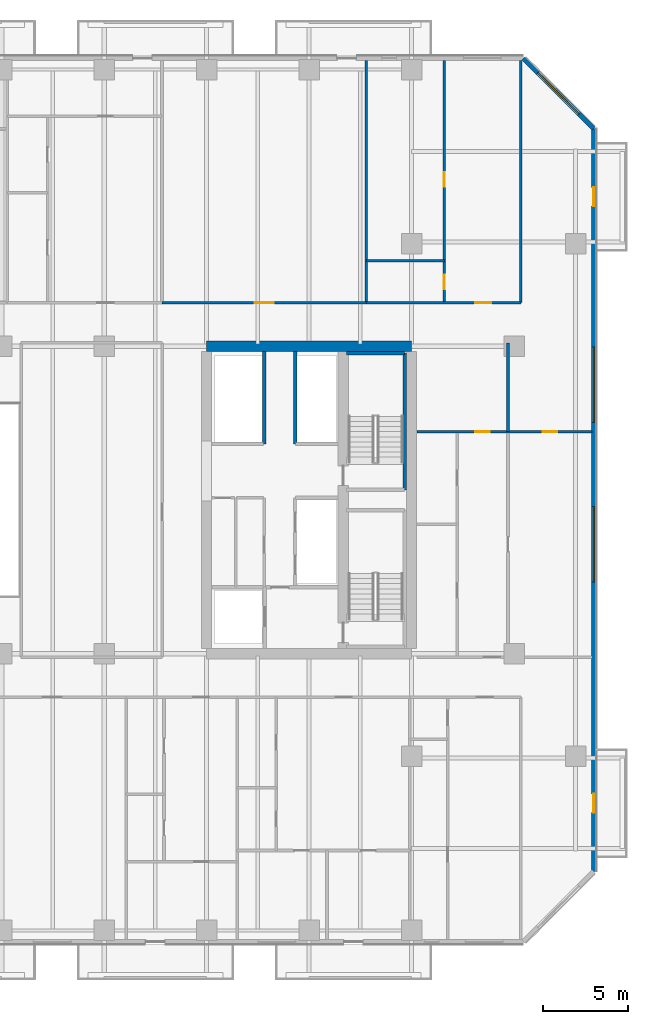
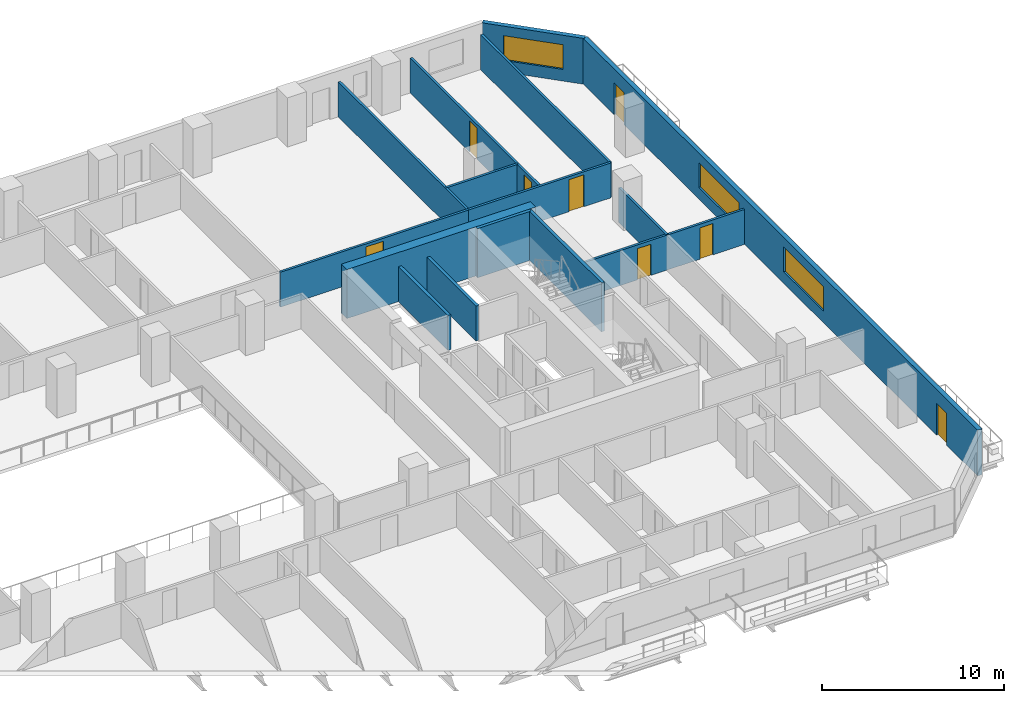
# One storey, part 16 of 26: 15 walls, 8 doors, 3 windows, 11 openings.
"""IFC4 building model written with IfcOpenShell, lengths in metres."""

from ifc_helpers import new_model, si_unit, direction, frame, frame_2d, origin, place, context, subcontext, project, spatial, rectangle, extrude, material, layer, layer_set, type_object, element, fill, save


model = new_model("IFC4")

# Units and contexts
model_context = context("Model", 3, precision=1e-05, world=origin(), true_north=direction((0.0, 1.0)))
body_context = subcontext(model_context, "Body", "Model", "MODEL_VIEW")
ifc_project = project(units=[si_unit("LENGTHUNIT", "METRE"), si_unit("AREAUNIT", "SQUARE_METRE"), si_unit("VOLUMEUNIT", "CUBIC_METRE"), si_unit("PLANEANGLEUNIT", "RADIAN"), si_unit("MASSUNIT", "GRAM", prefix="KILO")], contexts=[model_context])

# Site, building, storey
site_placement = place(None, origin())
site = spatial("IfcSite", under=ifc_project, at=site_placement, CompositionType="ELEMENT")
building_placement = place(site_placement, origin())
building = spatial("IfcBuilding", under=site, at=building_placement, Name="Tanjung Sevakor Pilgrim Tower", CompositionType="ELEMENT")
storey_placement = place(building_placement, frame((0.0, 0.0, 45.5400390625)))
storey = spatial("IfcBuildingStorey", under=building, at=storey_placement, Name="L12", CompositionType="ELEMENT", Elevation=45.5400390625)

# Walls
ifc_material_1 = material(Name="Concrete C60/75", Category="concrete")
ifc_layer_1 = layer(ifc_material_1, 0.60009765625)
ifc_layer_set_1 = layer_set([ifc_layer_1], Name="WALL-CW-600")
wall_type_1 = type_object("IfcWallType", Name="WALL-CW-600", PredefinedType="SHEAR", material=ifc_layer_set_1)
wall_1_placement = place(storey_placement, frame((90.0, 42.60009765625, 0.0), z_axis=(0.0, 0.0, 1.0), x_axis=(-1.0, 0.0, 0.0)))
element("IfcWall", 1, at=wall_1_placement, inside=storey, type_object=wall_type_1, Name="L12 E Core North Shear Wall", PredefinedType="SHEAR", context=body_context, shape_type="SweptSolid", body=[
    extrude(rectangle(XDim=12.0, YDim=0.60009765625, at=frame_2d((6.0, 0.0))), origin(), (0.0, 0.0, 1.0), 3.300048828125),
])
ifc_material_2 = material(Name="Concrete C40/50", Category="concrete")
ifc_layer_2 = layer(ifc_material_2, 0.14990234375)
ifc_layer_set_2 = layer_set([ifc_layer_2], Name="WT-COMP-150")
wall_type_2 = type_object("IfcWallType", Name="WT-COMP-150", PredefinedType="SOLIDWALL", material=ifc_layer_set_2)
for number, where, z_axis, x_axis, name in (
    (2, (96.39990234375, 45.14990234375, 0.0), (0.0, 0.0, 1.0), (0.0, 1.0, 0.0), "L12 Partition IW-L12-093"),
    (3, (87.35009765625, 45.14990234375, 0.0), (0.0, 0.0, 1.0), (0.0, 1.0, 0.0), "L12 Partition IW-L12-106"),
):
    element("IfcWall", number, at=place(storey_placement, frame(where, z_axis=z_axis, x_axis=x_axis)), inside=storey, type_object=wall_type_2, Name=name, PredefinedType="SOLIDWALL", context=body_context, shape_type="SweptSolid", body=[
        extrude(rectangle(XDim=14.170166015625, YDim=0.14990234375, at=frame_2d((7.0849609375, 0.0))), origin(), (0.0, 0.0, 1.0), 2.35009765625),
    ])

# Wall, opening, door
wall_2_placement = place(storey_placement, frame((75.39111328125, 45.14990234375, 0.0), z_axis=(0.0, 0.0, 1.0), x_axis=(1.0, 0.0, 0.0)))
wall_2 = element("IfcWall", 4, at=wall_2_placement, inside=storey, type_object=wall_type_2, Name="L12 Partition IW-L12-107", PredefinedType="SOLIDWALL", context=body_context, shape_type="SweptSolid", body=[
    extrude(rectangle(XDim=11.958984375, YDim=0.14990234375, at=frame_2d((5.9794921875, 0.0))), origin(), (0.0, 0.0, 1.0), 2.35009765625),
])
opening_1_placement = place(wall_2_placement, frame((5.429443359375, 0.0, 0.0)))
opening_1 = element("IfcOpeningElement", 5, at=opening_1_placement, cuts=wall_2, Name="Opening ID-FD0", PredefinedType="OPENING", context=body_context, shape_type="SweptSolid", body=[
    extrude(rectangle(XDim=1.10009765625, YDim=2.14990234375, at=frame_2d((0.550048828125, 1.074951171875))), frame((0.0, 0.0849609375, 0.0), z_axis=(0.0, -1.0, 0.0), x_axis=(1.0, 0.0, 0.0)), (0.0, 0.0, 1.0), 0.169921875),
])
ifc_material_3 = material(Name="Fire-Rated Steel S355J2", Category="steel")
door_type_1 = type_object("IfcDoorType", Name="DT-FIRE-1100", OperationType="NOTDEFINED", PredefinedType="DOOR", material=ifc_material_3)
door_1_placement = place(opening_1_placement, origin())
door_1 = element("IfcDoor", 6, at=door_1_placement, inside=storey, type_object=door_type_1, Name="Seminar Room Door", OperationType="SINGLE_SWING_LEFT", OverallHeight=2.14990234375, OverallWidth=1.10009765625, PredefinedType="DOOR", context=body_context, shape_type="SweptSolid", body=[
    extrude(rectangle(XDim=1.10009765625, YDim=2.14990234375, at=frame_2d((0.550048828125, 1.074951171875))), frame((0.0, 0.02490234375, 0.0), z_axis=(0.0, -1.0, 0.0), x_axis=(1.0, 0.0, 0.0)), (0.0, 0.0, 1.0), 0.050048828125),
])
fill(opening_1, door_1)

wall_3_placement = place(storey_placement, frame((87.35009765625, 45.14990234375, 0.0), z_axis=(0.0, 0.0, 1.0), x_axis=(1.0, 0.0, 0.0)))
wall_3 = element("IfcWall", 7, at=wall_3_placement, inside=storey, type_object=wall_type_2, Name="L12 Partition IW-L12-110", PredefinedType="SOLIDWALL", context=body_context, shape_type="SweptSolid", body=[
    extrude(rectangle(XDim=9.0498046875, YDim=0.14990234375, at=frame_2d((4.52490234375, 0.0))), origin(), (0.0, 0.0, 1.0), 2.35009765625),
])
opening_2_placement = place(wall_3_placement, frame((6.375, 0.0, 0.0)))
opening_2 = element("IfcOpeningElement", 8, at=opening_2_placement, cuts=wall_3, Name="Opening ID-FD2", PredefinedType="OPENING", context=body_context, shape_type="SweptSolid", body=[
    extrude(rectangle(XDim=0.949951171875, YDim=2.14990234375, at=frame_2d((0.47509765625, 1.074951171875))), frame((0.0, 0.0849609375, 0.0), z_axis=(0.0, -1.0, 0.0), x_axis=(1.0, 0.0, 0.0)), (0.0, 0.0, 1.0), 0.169921875),
])
ifc_material_4 = material(Name="Fire-Rated Timber", Category="wood")
door_type_2 = type_object("IfcDoorType", Name="DT-FIRE-950", OperationType="NOTDEFINED", PredefinedType="DOOR", material=ifc_material_4)
door_2_placement = place(opening_2_placement, origin())
door_2 = element("IfcDoor", 9, at=door_2_placement, inside=storey, type_object=door_type_2, Name="Hostel Quad Entrance", OperationType="SINGLE_SWING_RIGHT", OverallHeight=2.14990234375, OverallWidth=0.949951171875, PredefinedType="DOOR", context=body_context, shape_type="SweptSolid", body=[
    extrude(rectangle(XDim=0.949951171875, YDim=2.14990234375, at=frame_2d((0.47509765625, 1.074951171875))), frame((0.0, 0.02490234375, 0.0), z_axis=(0.0, -1.0, 0.0), x_axis=(1.0, 0.0, 0.0)), (0.0, 0.0, 1.0), 0.050048828125),
])
fill(opening_2, door_2)

# Wall, openings, doors, windows
ifc_material_5 = material(Name="Precast concrete C45/55", Category="concrete")
ifc_layer_3 = layer(ifc_material_5, 0.280029296875)
ifc_layer_set_3 = layer_set([ifc_layer_3], Name="WT-EW-STN2")
wall_type_3 = type_object("IfcWallType", Name="WT-EW-STN2", PredefinedType="SOLIDWALL", material=ifc_layer_set_3)
wall_4_placement = place(storey_placement, frame((100.659912109375, 11.85791015625, 0.0), z_axis=(0.0, 0.0, 1.0), x_axis=(0.0, 1.0, 0.0)))
wall_4 = element("IfcWall", 10, at=wall_4_placement, inside=storey, type_object=wall_type_3, Name="L12 MAIN Exterior Wall 7", PredefinedType="SOLIDWALL", context=body_context, shape_type="SweptSolid", body=[
    extrude(rectangle(XDim=43.484130859375, YDim=0.280029296875, at=frame_2d((21.7421875, 0.0))), origin(), (0.0, 0.0, 1.0), 3.080078125),
])
opening_3_placement = place(wall_4_placement, frame((3.44189453125, 0.0, 0.0)))
opening_3 = element("IfcOpeningElement", 11, at=opening_3_placement, cuts=wall_4, Name="Opening ED-BAL-1100", PredefinedType="OPENING", context=body_context, shape_type="SweptSolid", body=[
    extrude(rectangle(XDim=1.10009765625, YDim=2.14990234375, at=frame_2d((0.550048828125, 1.074951171875))), frame((0.0, 0.14990234375, 0.0), z_axis=(0.0, -1.0, 0.0), x_axis=(1.0, 0.0, 0.0)), (0.0, 0.0, 1.0), 0.300048828125),
])
opening_4_placement = place(wall_4_placement, frame((38.94189453125, 0.0, 0.0)))
opening_4 = element("IfcOpeningElement", 12, at=opening_4_placement, cuts=wall_4, Name="Opening ED-BAL-1100", PredefinedType="OPENING", context=body_context, shape_type="SweptSolid", body=[
    extrude(rectangle(XDim=1.10009765625, YDim=2.14990234375, at=frame_2d((0.550048828125, 1.074951171875))), frame((0.0, 0.14990234375, 0.0), z_axis=(0.0, -1.0, 0.0), x_axis=(1.0, 0.0, 0.0)), (0.0, 0.0, 1.0), 0.300048828125),
])
opening_5_placement = place(wall_4_placement, frame((16.951904296875, 0.0, 0.780029296875)))
opening_5 = element("IfcOpeningElement", 13, at=opening_5_placement, cuts=wall_4, Name="Opening WN-ENDW-1660", PredefinedType="OPENING", context=body_context, shape_type="SweptSolid", body=[
    extrude(rectangle(XDim=4.39990234375, YDim=1.659912109375, at=frame_2d((2.199951171875, 0.830078125))), frame((0.0, 0.14990234375, 0.0), z_axis=(0.0, -1.0, 0.0), x_axis=(1.0, 0.0, 0.0)), (0.0, 0.0, 1.0), 0.300048828125),
])
opening_6_placement = place(wall_4_placement, frame((26.2919921875, 0.0, 0.780029296875)))
opening_6 = element("IfcOpeningElement", 14, at=opening_6_placement, cuts=wall_4, Name="Opening WN-ENDW-1660", PredefinedType="OPENING", context=body_context, shape_type="SweptSolid", body=[
    extrude(rectangle(XDim=4.39990234375, YDim=1.659912109375, at=frame_2d((2.199951171875, 0.830078125))), frame((0.0, 0.14990234375, 0.0), z_axis=(0.0, -1.0, 0.0), x_axis=(1.0, 0.0, 0.0)), (0.0, 0.0, 1.0), 0.300048828125),
])
ifc_material_6 = material(Name="Anodised Aluminium and Laminated Glass", Category="aluminium")
door_type_3 = type_object("IfcDoorType", Name="DTYP-ED-BAL-1100", OperationType="NOTDEFINED", PredefinedType="DOOR", material=ifc_material_6)
door_3_placement = place(opening_3_placement, frame((1.10009765625, 0.0, 0.0), z_axis=(0.0, 0.0, 1.0), x_axis=(-1.0, 0.0, 0.0)))
door_3 = element("IfcDoor", 15, at=door_3_placement, inside=storey, type_object=door_type_3, Name="L12 East Loggia Door MAIN-E1", OperationType="SINGLE_SWING_RIGHT", OverallHeight=2.14990234375, OverallWidth=1.10009765625, PredefinedType="DOOR", context=body_context, shape_type="SweptSolid", body=[
    extrude(rectangle(XDim=1.10009765625, YDim=2.14990234375, at=frame_2d((0.550048828125, 1.074951171875))), frame((0.0, 0.02490234375, 0.0), z_axis=(0.0, -1.0, 0.0), x_axis=(1.0, 0.0, 0.0)), (0.0, 0.0, 1.0), 0.050048828125),
])
fill(opening_3, door_3)
door_4_placement = place(opening_4_placement, frame((1.10009765625, 0.0, 0.0), z_axis=(0.0, 0.0, 1.0), x_axis=(-1.0, 0.0, 0.0)))
door_4 = element("IfcDoor", 16, at=door_4_placement, inside=storey, type_object=door_type_3, Name="L12 East Loggia Door MAIN-E2", OperationType="SINGLE_SWING_LEFT", OverallHeight=2.14990234375, OverallWidth=1.10009765625, PredefinedType="DOOR", context=body_context, shape_type="SweptSolid", body=[
    extrude(rectangle(XDim=1.10009765625, YDim=2.14990234375, at=frame_2d((0.550048828125, 1.074951171875))), frame((0.0, 0.02490234375, 0.0), z_axis=(0.0, -1.0, 0.0), x_axis=(1.0, 0.0, 0.0)), (0.0, 0.0, 1.0), 0.050048828125),
])
fill(opening_4, door_4)
ifc_material_7 = material(Name="Thermally Broken Aluminium and Low-E Glass", Category="aluminium")
window_type_1 = type_object("IfcWindowType", Name="WTYP-WN-ENDW-1660", PartitioningType="DOUBLE_PANEL_VERTICAL", PredefinedType="WINDOW", material=ifc_material_7)
window_1_placement = place(opening_5_placement, origin())
window_1 = element("IfcWindow", 17, at=window_1_placement, inside=storey, type_object=window_type_1, Name="L12 Facade Window 01", OverallHeight=1.659912109375, OverallWidth=4.39990234375, PartitioningType="SINGLE_PANEL", PredefinedType="WINDOW", context=body_context, shape_type="SweptSolid", body=[
    extrude(rectangle(XDim=4.39990234375, YDim=1.659912109375, at=frame_2d((2.199951171875, 0.830078125))), frame((0.0, 0.030029296875, 0.0), z_axis=(0.0, -1.0, 0.0), x_axis=(1.0, 0.0, 0.0)), (0.0, 0.0, 1.0), 0.06005859375),
])
fill(opening_5, window_1)
window_2_placement = place(opening_6_placement, origin())
window_2 = element("IfcWindow", 18, at=window_2_placement, inside=storey, type_object=window_type_1, Name="L12 Facade Window 02", OverallHeight=1.659912109375, OverallWidth=4.39990234375, PartitioningType="SINGLE_PANEL", PredefinedType="WINDOW", context=body_context, shape_type="SweptSolid", body=[
    extrude(rectangle(XDim=4.39990234375, YDim=1.659912109375, at=frame_2d((2.199951171875, 0.830078125))), frame((0.0, 0.030029296875, 0.0), z_axis=(0.0, -1.0, 0.0), x_axis=(1.0, 0.0, 0.0)), (0.0, 0.0, 1.0), 0.06005859375),
])
fill(opening_6, window_2)

# Wall, opening, window
wall_5_placement = place(storey_placement, frame((100.659912109375, 55.342041015625, 0.0), z_axis=(0.0, 0.0, 1.0), x_axis=(-0.707106781187, 0.707106781187, 0.0)))
wall_5 = element("IfcWall", 19, at=wall_5_placement, inside=storey, type_object=wall_type_3, Name="L12 MAIN Sculpted Corner Wall 7", PredefinedType="SOLIDWALL", context=body_context, shape_type="SweptSolid", body=[
    extrude(rectangle(XDim=5.82373046875, YDim=0.280029296875, at=frame_2d((2.911865234375, 0.0))), origin(), (0.0, 0.0, 1.0), 3.080078125),
])
opening_7_placement = place(wall_5_placement, frame((1.2119140625, 0.0, 0.780029296875)))
opening_7 = element("IfcOpeningElement", 20, at=opening_7_placement, cuts=wall_5, Name="Opening WN-CHM-1660", PredefinedType="OPENING", context=body_context, shape_type="SweptSolid", body=[
    extrude(rectangle(XDim=3.39990234375, YDim=1.659912109375, at=frame_2d((1.699951171875, 0.830078125))), frame((0.0, 0.14990234375, 0.0), z_axis=(0.0, -1.0, 0.0), x_axis=(1.0, 0.0, 0.0)), (0.0, 0.0, 1.0), 0.300048828125),
])
ifc_material_8 = material(Name="Thermally Broken Aluminium and Low-E Glass", Category="aluminium")
window_type_2 = type_object("IfcWindowType", Name="WTYP-WN-CHM-1660", PartitioningType="DOUBLE_PANEL_VERTICAL", PredefinedType="WINDOW", material=ifc_material_8)
window_3_placement = place(opening_7_placement, origin())
window_3 = element("IfcWindow", 21, at=window_3_placement, inside=storey, type_object=window_type_2, Name="L12 Facade Window 01", OverallHeight=1.659912109375, OverallWidth=3.39990234375, PartitioningType="SINGLE_PANEL", PredefinedType="WINDOW", context=body_context, shape_type="SweptSolid", body=[
    extrude(rectangle(XDim=3.39990234375, YDim=1.659912109375, at=frame_2d((1.699951171875, 0.830078125))), frame((0.0, 0.030029296875, 0.0), z_axis=(0.0, -1.0, 0.0), x_axis=(1.0, 0.0, 0.0)), (0.0, 0.0, 1.0), 0.06005859375),
])
fill(opening_7, window_3)

# Walls
ifc_material_9 = material(Name="Concrete C40/50", Category="concrete")
ifc_layer_4 = layer(ifc_material_9, 0.199951171875)
ifc_layer_set_4 = layer_set([ifc_layer_4], Name="WT-FIRE-200")
wall_type_4 = type_object("IfcWallType", Name="WT-FIRE-200", PredefinedType="SOLIDWALL", material=ifc_layer_set_4)
wall_6_placement = place(storey_placement, frame((89.60009765625, 34.199951171875, 0.0), z_axis=(0.0, 0.0, 1.0), x_axis=(0.0, 1.0, 0.0)))
element("IfcWall", 22, at=wall_6_placement, inside=storey, type_object=wall_type_4, Name="L12 TS-E2 Shaft Wall 2", PredefinedType="SOLIDWALL", context=body_context, shape_type="SweptSolid", body=[
    extrude(rectangle(XDim=8.0, YDim=0.199951171875, at=frame_2d((4.0, 0.0))), origin(), (0.0, 0.0, 1.0), 3.300048828125),
])
wall_7_placement = place(storey_placement, frame((89.60009765625, 42.199951171875, 0.0), z_axis=(0.0, 0.0, 1.0), x_axis=(-1.0, 0.0, 0.0)))
element("IfcWall", 23, at=wall_7_placement, inside=storey, type_object=wall_type_4, Name="L12 TS-E2 Shaft Wall 3", PredefinedType="SOLIDWALL", context=body_context, shape_type="SweptSolid", body=[
    extrude(rectangle(XDim=3.400146484375, YDim=0.199951171875, at=frame_2d((1.7001953125, 0.0))), origin(), (0.0, 0.0, 1.0), 3.300048828125),
])
ifc_material_10 = material(Name="Concrete C40/50", Category="concrete")
ifc_layer_5 = layer(ifc_material_10, 0.199951171875)
ifc_layer_set_5 = layer_set([ifc_layer_5], Name="WT-FPRT-200")
wall_type_5 = type_object("IfcWallType", Name="WT-FPRT-200", PredefinedType="SOLIDWALL", material=ifc_layer_set_5)
for number, where, z_axis, x_axis, name in (
    (24, (83.179931640625, 36.8798828125, 0.0), (0.0, 0.0, 1.0), (0.0, 1.0, 0.0), "L12 Partition IW-L12-022"),
    (25, (81.3798828125, 36.8798828125, 0.0), (0.0, 0.0, 1.0), (0.0, 1.0, 0.0), "L12 Partition IW-L12-024"),
):
    element("IfcWall", number, at=place(storey_placement, frame(where, z_axis=z_axis, x_axis=x_axis)), inside=storey, type_object=wall_type_5, Name=name, PredefinedType="SOLIDWALL", context=body_context, shape_type="SweptSolid", body=[
        extrude(rectangle(XDim=5.420166015625, YDim=0.199951171875, at=frame_2d((2.7099609375, 0.0))), origin(), (0.0, 0.0, 1.0), 2.35009765625),
    ])
ifc_material_11 = material(Name="Gypsum Board Partition", Category="gypsum board")
ifc_layer_6 = layer(ifc_material_11, 0.14990234375)
ifc_layer_set_6 = layer_set([ifc_layer_6], Name="WT-PART-150")
wall_type_6 = type_object("IfcWallType", Name="WT-PART-150", PredefinedType="PARTITIONING", material=ifc_layer_set_6)
wall_8_placement = place(storey_placement, frame((95.644775390625, 37.60009765625, 0.0), z_axis=(0.0, 0.0, 1.0), x_axis=(0.0, 1.0, 0.0)))
element("IfcWall", 26, at=wall_8_placement, inside=storey, type_object=wall_type_6, Name="L12 Partition IW-L12-037", PredefinedType="PARTITIONING", context=body_context, shape_type="SweptSolid", body=[
    extrude(rectangle(XDim=5.199951171875, YDim=0.14990234375, at=frame_2d((2.60009765625, 0.0))), origin(), (0.0, 0.0, 1.0), 2.35009765625),
])

# Wall, openings, doors
wall_9_placement = place(storey_placement, frame((90.320068359375, 37.60009765625, 0.0), z_axis=(0.0, 0.0, 1.0), x_axis=(1.0, 0.0, 0.0)))
wall_9 = element("IfcWall", 27, at=wall_9_placement, inside=storey, type_object=wall_type_6, Name="L12 Partition IW-L12-038", PredefinedType="PARTITIONING", context=body_context, shape_type="SweptSolid", body=[
    extrude(rectangle(XDim=10.239990234375, YDim=0.14990234375, at=frame_2d((5.1201171875, 0.0))), origin(), (0.0, 0.0, 1.0), 2.35009765625),
])
opening_8_placement = place(wall_9_placement, frame((3.412353515625, 0.0, 0.0)))
opening_8 = element("IfcOpeningElement", 28, at=opening_8_placement, cuts=wall_9, Name="Opening ID-WC1", PredefinedType="OPENING", context=body_context, shape_type="SweptSolid", body=[
    extrude(rectangle(XDim=0.85009765625, YDim=2.10009765625, at=frame_2d((0.425048828125, 1.050048828125))), frame((0.0, 0.0849609375, 0.0), z_axis=(0.0, -1.0, 0.0), x_axis=(1.0, 0.0, 0.0)), (0.0, 0.0, 1.0), 0.169921875),
])
opening_9_placement = place(wall_9_placement, frame((7.357421875, 0.0, 0.0)))
opening_9 = element("IfcOpeningElement", 29, at=opening_9_placement, cuts=wall_9, Name="Opening ID-WC1", PredefinedType="OPENING", context=body_context, shape_type="SweptSolid", body=[
    extrude(rectangle(XDim=0.85009765625, YDim=2.10009765625, at=frame_2d((0.425048828125, 1.050048828125))), frame((0.0, 0.0849609375, 0.0), z_axis=(0.0, -1.0, 0.0), x_axis=(1.0, 0.0, 0.0)), (0.0, 0.0, 1.0), 0.169921875),
])
ifc_material_12 = material(Name="Moisture-Resistant Timber", Category="wood")
door_type_4 = type_object("IfcDoorType", Name="DT-INT-850", OperationType="NOTDEFINED", PredefinedType="DOOR", material=ifc_material_12)
door_5_placement = place(opening_8_placement, origin())
door_5 = element("IfcDoor", 30, at=door_5_placement, inside=storey, type_object=door_type_4, Name="Suite Bedroom 1 Door", OperationType="SINGLE_SWING_RIGHT", OverallHeight=2.10009765625, OverallWidth=0.85009765625, PredefinedType="DOOR", context=body_context, shape_type="SweptSolid", body=[
    extrude(rectangle(XDim=0.85009765625, YDim=2.10009765625, at=frame_2d((0.425048828125, 1.050048828125))), frame((0.0, 0.02490234375, 0.0), z_axis=(0.0, -1.0, 0.0), x_axis=(1.0, 0.0, 0.0)), (0.0, 0.0, 1.0), 0.050048828125),
])
fill(opening_8, door_5)
door_6_placement = place(opening_9_placement, origin())
door_6 = element("IfcDoor", 31, at=door_6_placement, inside=storey, type_object=door_type_4, Name="Suite Bedroom 2 Door", OperationType="SINGLE_SWING_LEFT", OverallHeight=2.10009765625, OverallWidth=0.85009765625, PredefinedType="DOOR", context=body_context, shape_type="SweptSolid", body=[
    extrude(rectangle(XDim=0.85009765625, YDim=2.10009765625, at=frame_2d((0.425048828125, 1.050048828125))), frame((0.0, 0.02490234375, 0.0), z_axis=(0.0, -1.0, 0.0), x_axis=(1.0, 0.0, 0.0)), (0.0, 0.0, 1.0), 0.050048828125),
])
fill(opening_9, door_6)

# Wall
wall_10_placement = place(storey_placement, frame((87.35009765625, 47.60009765625, 0.0), z_axis=(0.0, 0.0, 1.0), x_axis=(1.0, 0.0, 0.0)))
element("IfcWall", 32, at=wall_10_placement, inside=storey, type_object=wall_type_6, Name="L12 Partition IW-L12-108", PredefinedType="PARTITIONING", context=body_context, shape_type="SweptSolid", body=[
    extrude(rectangle(XDim=4.56982421875, YDim=0.14990234375, at=frame_2d((2.284912109375, 0.0))), origin(), (0.0, 0.0, 1.0), 2.35009765625),
])

# Wall, openings, doors
wall_11_placement = place(storey_placement, frame((91.919921875, 45.14990234375, 0.0), z_axis=(0.0, 0.0, 1.0), x_axis=(0.0, 1.0, 0.0)))
wall_11 = element("IfcWall", 33, at=wall_11_placement, inside=storey, type_object=wall_type_6, Name="L12 Partition IW-L12-109", PredefinedType="PARTITIONING", context=body_context, shape_type="SweptSolid", body=[
    extrude(rectangle(XDim=14.170166015625, YDim=0.14990234375, at=frame_2d((7.0849609375, 0.0))), origin(), (0.0, 0.0, 1.0), 2.35009765625),
])
opening_10_placement = place(wall_11_placement, frame((0.800048828125, 0.0, 0.0)))
opening_10 = element("IfcOpeningElement", 34, at=opening_10_placement, cuts=wall_11, Name="Opening ID-WC1", PredefinedType="OPENING", context=body_context, shape_type="SweptSolid", body=[
    extrude(rectangle(XDim=0.85009765625, YDim=2.10009765625, at=frame_2d((0.425048828125, 1.050048828125))), frame((0.0, 0.0849609375, 0.0), z_axis=(0.0, -1.0, 0.0), x_axis=(1.0, 0.0, 0.0)), (0.0, 0.0, 1.0), 0.169921875),
])
opening_11_placement = place(wall_11_placement, frame((6.798095703125, 0.0, 0.0)))
opening_11 = element("IfcOpeningElement", 35, at=opening_11_placement, cuts=wall_11, Name="Opening ID-WC1", PredefinedType="OPENING", context=body_context, shape_type="SweptSolid", body=[
    extrude(rectangle(XDim=0.85009765625, YDim=2.10009765625, at=frame_2d((0.425048828125, 1.050048828125))), frame((0.0, 0.0849609375, 0.0), z_axis=(0.0, -1.0, 0.0), x_axis=(1.0, 0.0, 0.0)), (0.0, 0.0, 1.0), 0.169921875),
])
door_7_placement = place(opening_10_placement, origin())
door_7 = element("IfcDoor", 36, at=door_7_placement, inside=storey, type_object=door_type_4, Name="Bathroom Door", OperationType="SINGLE_SWING_RIGHT", OverallHeight=2.10009765625, OverallWidth=0.85009765625, PredefinedType="DOOR", context=body_context, shape_type="SweptSolid", body=[
    extrude(rectangle(XDim=0.85009765625, YDim=2.10009765625, at=frame_2d((0.425048828125, 1.050048828125))), frame((0.0, 0.02490234375, 0.0), z_axis=(0.0, -1.0, 0.0), x_axis=(1.0, 0.0, 0.0)), (0.0, 0.0, 1.0), 0.050048828125),
])
fill(opening_10, door_7)
door_8_placement = place(opening_11_placement, origin())
door_8 = element("IfcDoor", 37, at=door_8_placement, inside=storey, type_object=door_type_4, Name="Study Nook Door", OperationType="SINGLE_SWING_LEFT", OverallHeight=2.10009765625, OverallWidth=0.85009765625, PredefinedType="DOOR", context=body_context, shape_type="SweptSolid", body=[
    extrude(rectangle(XDim=0.85009765625, YDim=2.10009765625, at=frame_2d((0.425048828125, 1.050048828125))), frame((0.0, 0.02490234375, 0.0), z_axis=(0.0, -1.0, 0.0), x_axis=(1.0, 0.0, 0.0)), (0.0, 0.0, 1.0), 0.050048828125),
])
fill(opening_11, door_8)

save(model, "model.ifc")
